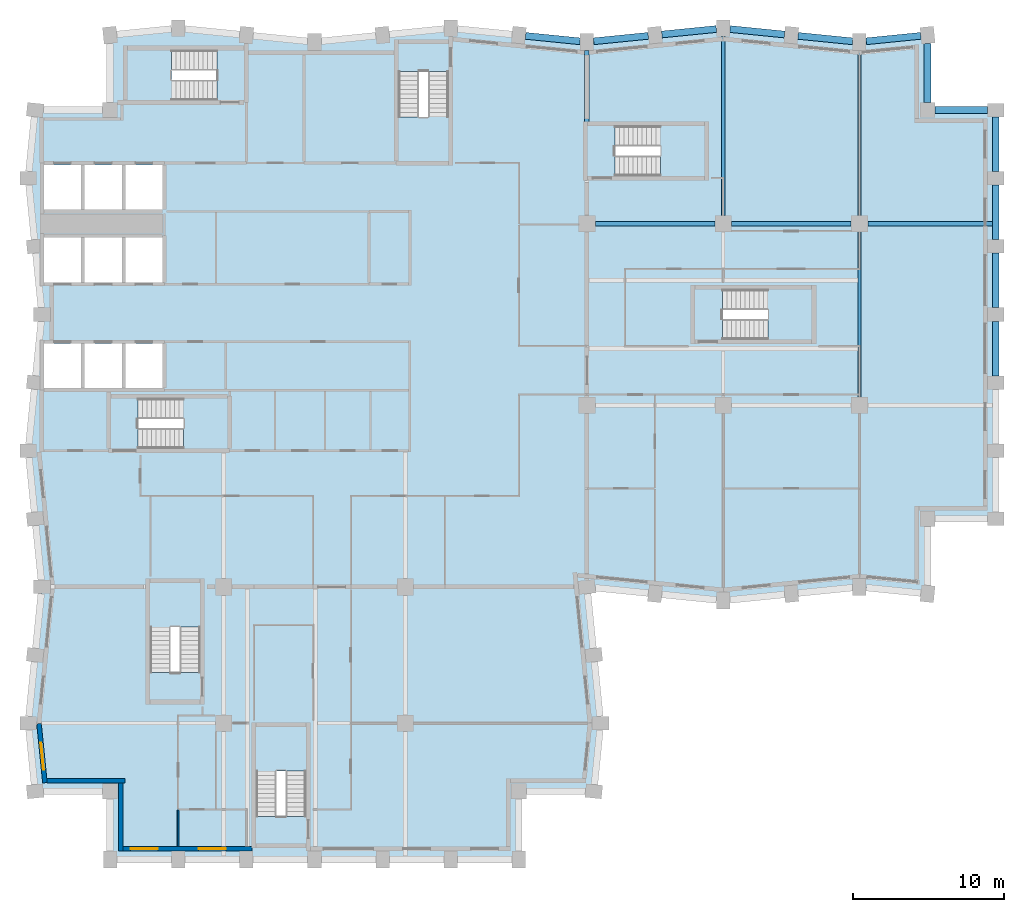
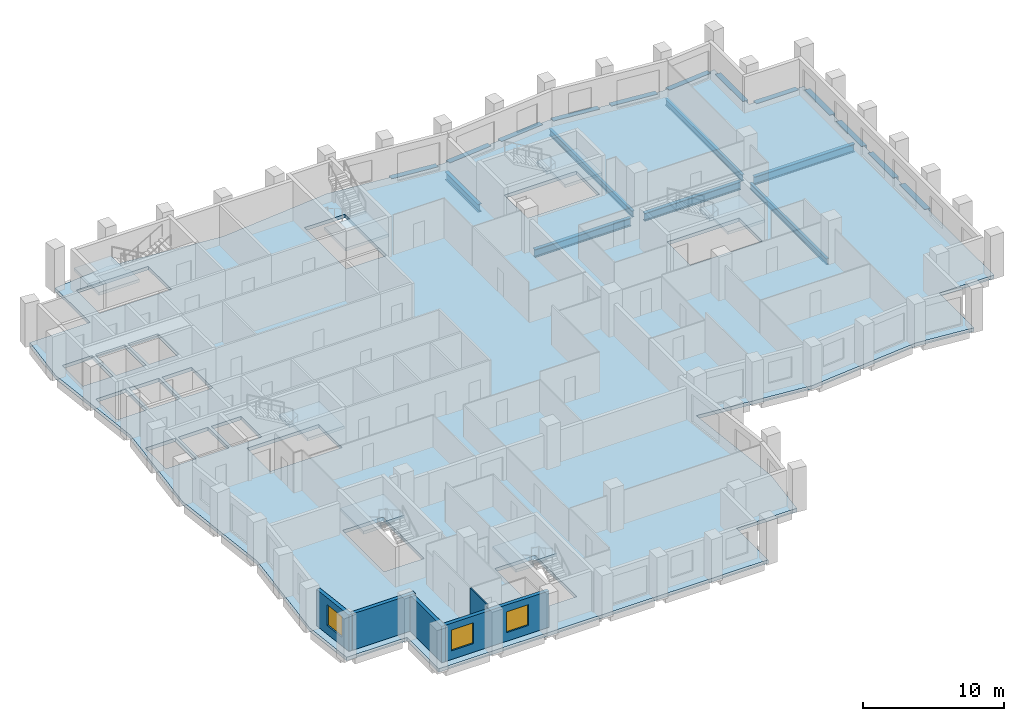
# One storey, part 2 of 10: 19 beams, 8 slabs, 5 walls, 3 windows, 3 openings, 7 elements without a shape of their own.
"""IFC4 building model written with IfcOpenShell, lengths in metres."""

from ifc_helpers import new_model, si_unit, direction, frame, frame_2d, origin, origin_2d, place, context, subcontext, project, spatial, polyline, rectangle, i_section, outline, extrude, material, layer, layer_set, material_profile, profile_set, type_object, element, fill, aggregate, save


model = new_model("IFC4")

# Units and contexts
model_context = context("Model", 3, precision=1e-05, world=origin(), true_north=direction((0.0, 1.0)))
body_context = subcontext(model_context, "Body", "Model", "MODEL_VIEW")
ifc_project = project(units=[si_unit("LENGTHUNIT", "METRE"), si_unit("AREAUNIT", "SQUARE_METRE"), si_unit("VOLUMEUNIT", "CUBIC_METRE"), si_unit("PLANEANGLEUNIT", "RADIAN"), si_unit("MASSUNIT", "GRAM", prefix="KILO")], contexts=[model_context])

# Site, building, storey
site_placement = place(None, origin())
site = spatial("IfcSite", under=ifc_project, at=site_placement, CompositionType="ELEMENT")
building_placement = place(site_placement, origin())
building = spatial("IfcBuilding", under=site, at=building_placement, Name="Brondeck Convention Tower", CompositionType="ELEMENT")
storey_placement = place(building_placement, frame((0.0, 0.0, 170.0)))
storey = spatial("IfcBuildingStorey", under=building, at=storey_placement, Name="L41", CompositionType="ELEMENT", Elevation=170.0)

# Beams
ifc_material_1 = material(Name="Steel S355", Category="steel")
ifc_material_profile_1 = material_profile(ifc_material_1, i_section(OverallWidth=0.2099609375, OverallDepth=0.550048828125, WebThickness=0.010986328125, FlangeThickness=0.01708984375, FilletRadius=0.02392578125, at=origin_2d()), Name="IPE 550")
ifc_profile_set_1 = profile_set([ifc_material_profile_1], Name="Steel S355")
beam_type_1 = type_object("IfcBeamType", Name="Floor beam IPE 550", PredefinedType="BEAM", material=ifc_profile_set_1)
beam_1_placement = place(storey_placement, frame((45.0, 51.550048828125, -0.574951171875), z_axis=(0.0, 1.0, 0.0), x_axis=(-1.0, 0.0, 0.0)))
element("IfcBeam", 1, at=beam_1_placement, inside=storey, type_object=beam_type_1, Name="STR-FB-L41-002", PredefinedType="BEAM", context=body_context, shape_type="SweptSolid", body=[
    extrude(i_section(OverallWidth=0.2099609375, OverallDepth=0.550048828125, WebThickness=0.010986328125, FlangeThickness=0.01708984375, FilletRadius=0.02392578125, at=origin_2d()), origin(), (0.0, 0.0, 1.0), 11.800048828125),
])
for number, where, z_axis, x_axis, name in (
    (2, (54.0, 39.550048828125, -0.574951171875), (0.0, 1.0, 0.0), (-1.0, 0.0, 0.0), "STR-FB-L41-004"),
    (3, (54.0, 51.550048828125, -0.574951171875), (0.0, 1.0, 0.0), (-1.0, 0.0, 0.0), "STR-FB-L41-005"),
):
    element("IfcBeam", number, at=place(storey_placement, frame(where, z_axis=z_axis, x_axis=x_axis)), inside=storey, type_object=beam_type_1, Name=name, PredefinedType="BEAM", context=body_context, shape_type="SweptSolid", body=[
        extrude(i_section(OverallWidth=0.2099609375, OverallDepth=0.550048828125, WebThickness=0.010986328125, FlangeThickness=0.01708984375, FilletRadius=0.02392578125, at=origin_2d()), origin(), (0.0, 0.0, 1.0), 10.89990234375),
    ])
ifc_material_profile_2 = material_profile(ifc_material_1, i_section(OverallWidth=0.300048828125, OverallDepth=0.699951171875, WebThickness=0.01708984375, FlangeThickness=0.031982421875, FilletRadius=0.027099609375, at=origin_2d()), Name="HEB 700")
ifc_profile_set_2 = profile_set([ifc_material_profile_2], Name="Steel S355")
beam_type_2 = type_object("IfcBeamType", Name="Girder HEB 700", PredefinedType="BEAM", material=ifc_profile_set_2)
for number, where, z_axis, x_axis, name in (
    (4, (36.550048828125, 51.0, -0.64990234375), (1.0, 0.0, 0.0), (0.0, 1.0, 0.0), "STR-GR-L41-004"),
    (5, (45.550048828125, 51.0, -0.64990234375), (1.0, 0.0, 0.0), (0.0, 1.0, 0.0), "STR-GR-L41-005"),
):
    element("IfcBeam", number, at=place(storey_placement, frame(where, z_axis=z_axis, x_axis=x_axis)), inside=storey, type_object=beam_type_2, Name=name, PredefinedType="BEAM", context=body_context, shape_type="SweptSolid", body=[
        extrude(i_section(OverallWidth=0.300048828125, OverallDepth=0.699951171875, WebThickness=0.01708984375, FlangeThickness=0.031982421875, FilletRadius=0.027099609375, at=origin_2d()), origin(), (0.0, 0.0, 1.0), 7.89990234375),
    ])
beam_2_placement = place(storey_placement, frame((54.550048828125, 51.0, -0.64990234375), z_axis=(1.0, 0.0, 0.0), x_axis=(0.0, 1.0, 0.0)))
element("IfcBeam", 6, at=beam_2_placement, inside=storey, type_object=beam_type_2, Name="STR-GR-L41-006", PredefinedType="BEAM", context=body_context, shape_type="SweptSolid", body=[
    extrude(i_section(OverallWidth=0.300048828125, OverallDepth=0.699951171875, WebThickness=0.01708984375, FlangeThickness=0.031982421875, FilletRadius=0.027099609375, at=origin_2d()), origin(), (0.0, 0.0, 1.0), 8.224853515625),
])
beam_3_placement = place(storey_placement, frame((36.0, 57.719970703125, -0.64990234375), z_axis=(0.0, 1.0, 0.0), x_axis=(-1.0, 0.0, 0.0)))
element("IfcBeam", 7, at=beam_3_placement, inside=storey, type_object=beam_type_2, Name="STR-GR-L41-010", PredefinedType="BEAM", context=body_context, shape_type="SweptSolid", body=[
    extrude(i_section(OverallWidth=0.300048828125, OverallDepth=0.699951171875, WebThickness=0.01708984375, FlangeThickness=0.031982421875, FilletRadius=0.027099609375, at=origin_2d()), origin(), (0.0, 0.0, 1.0), 4.72998046875),
])
ifc_material_2 = material(Name="Concrete C70/85", Category="concrete")
ifc_material_profile_3 = material_profile(ifc_material_2, rectangle(XDim=0.449951171875, YDim=0.64990234375, at=origin_2d()), Name="Precast spandrel 450x650 Concrete C70/85")
ifc_profile_set_3 = profile_set([ifc_material_profile_3], Name="Concrete C70/85")
beam_type_3 = type_object("IfcBeamType", Name="Precast spandrel 450x650 Concrete C70/85", PredefinedType="SPANDREL", material=ifc_profile_set_3)
for number, where, z_axis, x_axis, name in (
    (8, (63.0, 40.949951171875, -0.324951171875), (0.0, 1.0, 0.0), (-1.0, 0.0, 0.0), "STR-SP-L41-021"),
    (9, (63.0, 45.449951171875, -0.324951171875), (0.0, 1.0, 0.0), (-1.0, 0.0, 0.0), "STR-SP-L41-022"),
    (10, (63.0, 49.949951171875, -0.324951171875), (0.0, 1.0, 0.0), (-1.0, 0.0, 0.0), "STR-SP-L41-023"),
    (11, (63.0, 54.449951171875, -0.324951171875), (0.0, 1.0, 0.0), (-1.0, 0.0, 0.0), "STR-SP-L41-024"),
):
    element("IfcBeam", number, at=place(storey_placement, frame(where, z_axis=z_axis, x_axis=x_axis)), inside=storey, type_object=beam_type_3, Name=name, PredefinedType="SPANDREL", context=body_context, shape_type="SweptSolid", body=[
        extrude(rectangle(XDim=0.449951171875, YDim=0.64990234375, at=origin_2d()), origin(), (0.0, 0.0, 1.0), 3.60009765625),
    ])
beam_4_placement = place(storey_placement, frame((62.449951171875, 58.5, -0.324951171875), z_axis=(-1.0, 0.0, 0.0), x_axis=(0.0, -1.0, 0.0)))
element("IfcBeam", 12, at=beam_4_placement, inside=storey, type_object=beam_type_3, Name="STR-SP-L41-025", PredefinedType="SPANDREL", context=body_context, shape_type="SweptSolid", body=[
    extrude(rectangle(XDim=0.449951171875, YDim=0.64990234375, at=origin_2d()), origin(), (0.0, 0.0, 1.0), 3.449951171875),
])
beam_5_placement = place(storey_placement, frame((58.5, 59.0, -0.324951171875), z_axis=(0.0, 1.0, 0.0), x_axis=(-1.0, 0.0, 0.0)))
element("IfcBeam", 13, at=beam_5_placement, inside=storey, type_object=beam_type_3, Name="STR-SP-L41-026", PredefinedType="SPANDREL", context=body_context, shape_type="SweptSolid", body=[
    extrude(rectangle(XDim=0.449951171875, YDim=0.64990234375, at=origin_2d()), origin(), (0.0, 0.0, 1.0), 3.897216796875),
])
for number, where, z_axis, x_axis, name in (
    (14, (58.05224609375, 63.4052734375, -0.324951171875), (-0.995033851182, -0.099537103649, 0.0), (0.099537103649, -0.995033851182, 0.0), "STR-SP-L41-027"),
    (15, (53.550048828125, 63.044921875, -0.324951171875), (-0.995033851182, 0.099537103649, 0.0), (-0.099537103649, -0.995033851182, 0.0), "STR-SP-L41-028"),
    (16, (49.05224609375, 63.494873046875, -0.324951171875), (-0.995040528141, 0.099470334057, 0.0), (-0.099470334057, -0.995040528141, 0.0), "STR-SP-L41-029"),
    (17, (44.550048828125, 63.85498046875, -0.324951171875), (-0.995040528141, -0.099470334057, 0.0), (0.099470334057, -0.995040528141, 0.0), "STR-SP-L41-030"),
    (18, (40.05224609375, 63.4052734375, -0.324951171875), (-0.995033851182, -0.099537103649, 0.0), (0.099537103649, -0.995033851182, 0.0), "STR-SP-L41-031"),
    (19, (35.550048828125, 63.044921875, -0.324951171875), (-0.995033851182, 0.099537103649, 0.0), (-0.099537103649, -0.995033851182, 0.0), "STR-SP-L41-032"),
):
    element("IfcBeam", number, at=place(storey_placement, frame(where, z_axis=z_axis, x_axis=x_axis)), inside=storey, type_object=beam_type_3, Name=name, PredefinedType="SPANDREL", context=body_context, shape_type="SweptSolid", body=[
        extrude(rectangle(XDim=0.449951171875, YDim=0.64990234375, at=origin_2d()), origin(), (0.0, 0.0, 1.0), 3.620361328125),
    ])

# Slab
ifc_material_3 = material(Name="Concrete C35/45", Category="concrete")
ifc_layer_1 = layer(ifc_material_3, 0.300048828125)
ifc_layer_set_1 = layer_set([ifc_layer_1], Name="Composite floor slab 300")
slab_type_1 = type_object("IfcSlabType", Name="Composite floor slab 300", PredefinedType="FLOOR", material=ifc_layer_set_1)
slab_1_placement = place(storey_placement, frame((0.0, 0.0, -0.300048828125)))
element("IfcSlab", 20, at=slab_1_placement, inside=storey, type_object=slab_type_1, Name="STR-SL-L41", PredefinedType="FLOOR", context=body_context, shape_type="SweptSolid", body=[
    extrude(outline(polyline([(4.5, 13.5), (-0.449951171875, 13.5), (-0.89990234375, 18.0), (0.0, 27.0), (-0.89990234375, 36.0), (0.0, 45.0), (-0.89990234375, 54.0), (-0.449951171875, 58.5), (4.5, 58.5), (4.5, 63.449951171875), (9.0, 63.89990234375), (18.0, 63.0), (27.0, 63.89990234375), (36.0, 63.0), (45.0, 63.89990234375), (54.0, 63.0), (58.5, 63.449951171875), (58.5, 58.5), (63.0, 58.5), (63.0, 31.5), (58.5, 31.5), (58.5, 26.550048828125), (54.0, 27.0), (45.0, 26.10009765625), (36.0, 27.0), (36.89990234375, 18.0), (36.449951171875, 13.5), (31.5, 13.5), (31.5, 9.0), (4.5, 9.0), (4.5, 13.5)]), holes=[polyline([(2.574951171875, 40.125), (2.574951171875, 43.074951171875), (0.125, 43.074951171875), (0.125, 40.125), (2.574951171875, 40.125)]), polyline([(5.27490234375, 40.125), (5.27490234375, 43.074951171875), (2.824951171875, 43.074951171875), (2.824951171875, 40.125), (5.27490234375, 40.125)]), polyline([(7.97509765625, 40.125), (7.97509765625, 43.074951171875), (5.52490234375, 43.074951171875), (5.52490234375, 40.125), (7.97509765625, 40.125)]), polyline([(2.574951171875, 47.125), (2.574951171875, 50.074951171875), (0.125, 50.074951171875), (0.125, 47.125), (2.574951171875, 47.125)]), polyline([(5.27490234375, 47.125), (5.27490234375, 50.074951171875), (2.824951171875, 50.074951171875), (2.824951171875, 47.125), (5.27490234375, 47.125)]), polyline([(7.97509765625, 47.125), (7.97509765625, 50.074951171875), (5.52490234375, 50.074951171875), (5.52490234375, 47.125), (7.97509765625, 47.125)]), polyline([(2.574951171875, 51.925048828125), (2.574951171875, 54.875), (0.125, 54.875), (0.125, 51.925048828125), (2.574951171875, 51.925048828125)]), polyline([(5.27490234375, 51.925048828125), (5.27490234375, 54.875), (2.824951171875, 54.875), (2.824951171875, 51.925048828125), (5.27490234375, 51.925048828125)]), polyline([(17.447998046875, 17.748046875), (14.152099609375, 17.748046875), (14.152099609375, 11.85205078125), (17.447998046875, 11.85205078125), (17.447998046875, 17.748046875)]), polyline([(10.447998046875, 27.248046875), (7.152099609375, 27.248046875), (7.152099609375, 21.35205078125), (10.447998046875, 21.35205078125), (10.447998046875, 27.248046875)]), polyline([(12.248046875, 36.152099609375), (12.248046875, 39.447998046875), (6.35205078125, 39.447998046875), (6.35205078125, 36.152099609375), (12.248046875, 36.152099609375)]), polyline([(50.847900390625, 43.35205078125), (50.847900390625, 46.64794921875), (44.951904296875, 46.64794921875), (44.951904296875, 43.35205078125), (50.847900390625, 43.35205078125)]), polyline([(7.97509765625, 51.925048828125), (7.97509765625, 54.875), (5.52490234375, 54.875), (5.52490234375, 51.925048828125), (7.97509765625, 51.925048828125)]), polyline([(43.748046875, 54.152099609375), (43.748046875, 57.447998046875), (37.85205078125, 57.447998046875), (37.85205078125, 54.152099609375), (43.748046875, 54.152099609375)]), polyline([(23.552001953125, 55.152099609375), (26.847900390625, 55.152099609375), (26.847900390625, 61.048095703125), (23.552001953125, 61.048095703125), (23.552001953125, 55.152099609375)]), polyline([(5.652099609375, 62.447998046875), (5.652099609375, 59.152099609375), (11.548095703125, 59.152099609375), (11.548095703125, 62.447998046875), (5.652099609375, 62.447998046875)])]), origin(), (0.0, 0.0, 1.0), 0.300048828125),
])

# Stair, slab
ifc_material_4 = material(Name="Precast concrete C50/60", Category="concrete")
stair_type = type_object("IfcStairType", Name="Core stair 22 risers 172.73 mm riser 300 mm going 1350 wide", PredefinedType="HALF_TURN_STAIR", material=ifc_material_4)
stair_1_placement = place(storey_placement, origin())
stair_1 = element("IfcStair", 21, at=stair_1_placement, inside=storey, type_object=stair_type, Name="ST-1 L41 stair", PredefinedType="HALF_TURN_STAIR")
ifc_layer_2 = layer(ifc_material_4, 0.25)
ifc_layer_set_2 = layer_set([ifc_layer_2], Name="Core stair landing 250 Precast concrete C50/60")
slab_type_2 = type_object("IfcSlabType", Name="Core stair landing 250 Precast concrete C50/60", PredefinedType="LANDING", material=ifc_layer_set_2)
slab_2_placement = place(storey_placement, frame((0.0, 0.0, 1.64990234375)))
slab_2 = element("IfcSlab", 22, at=slab_2_placement, type_object=slab_type_2, Name="ST-1 landing 1", PredefinedType="LANDING", context=body_context, shape_type="SweptSolid", body=[
    extrude(outline(polyline([(9.347900390625, 37.5), (9.35009765625, 37.5), (9.35009765625, 38.10009765625), (9.050048828125, 38.10009765625), (9.050048828125, 39.570068359375), (12.3701171875, 39.570068359375), (12.3701171875, 36.030029296875), (9.347900390625, 36.030029296875), (9.347900390625, 37.5)])), origin(), (0.0, 0.0, 1.0), 0.25),
])
aggregate(stair_1, [slab_2])

stair_2_placement = place(storey_placement, origin())
stair_2 = element("IfcStair", 23, at=stair_2_placement, inside=storey, type_object=stair_type, Name="ST-2 L41 stair", PredefinedType="HALF_TURN_STAIR")
slab_3_placement = place(storey_placement, frame((0.0, 0.0, 1.64990234375)))
slab_3 = element("IfcSlab", 24, at=slab_3_placement, type_object=slab_type_2, Name="ST-2 landing 1", PredefinedType="LANDING", context=body_context, shape_type="SweptSolid", body=[
    extrude(outline(polyline([(23.429931640625, 58.052001953125), (24.89990234375, 58.052001953125), (24.89990234375, 58.050048828125), (25.5, 58.050048828125), (25.5, 58.35009765625), (26.969970703125, 58.35009765625), (26.969970703125, 55.030029296875), (23.429931640625, 55.030029296875), (23.429931640625, 58.052001953125)])), origin(), (0.0, 0.0, 1.0), 0.25),
])
aggregate(stair_2, [slab_3])

stair_3_placement = place(storey_placement, origin())
stair_3 = element("IfcStair", 25, at=stair_3_placement, inside=storey, type_object=stair_type, Name="ST-3 L41 stair", PredefinedType="HALF_TURN_STAIR")
slab_4_placement = place(storey_placement, frame((0.0, 0.0, 1.64990234375)))
slab_4 = element("IfcSlab", 26, at=slab_4_placement, type_object=slab_type_2, Name="ST-3 landing 1", PredefinedType="LANDING", context=body_context, shape_type="SweptSolid", body=[
    extrude(outline(polyline([(8.85009765625, 60.5), (8.85009765625, 59.030029296875), (5.530029296875, 59.030029296875), (5.530029296875, 62.570068359375), (8.552001953125, 62.570068359375), (8.552001953125, 61.10009765625), (8.550048828125, 61.10009765625), (8.550048828125, 60.5), (8.85009765625, 60.5)])), origin(), (0.0, 0.0, 1.0), 0.25),
])
aggregate(stair_3, [slab_4])

stair_4_placement = place(storey_placement, origin())
stair_4 = element("IfcStair", 27, at=stair_4_placement, inside=storey, type_object=stair_type, Name="ST-AE L41 stair", PredefinedType="HALF_TURN_STAIR")
slab_5_placement = place(storey_placement, frame((0.0, 0.0, 1.64990234375)))
slab_5 = element("IfcSlab", 28, at=slab_5_placement, type_object=slab_type_2, Name="ST-AE landing 1", PredefinedType="LANDING", context=body_context, shape_type="SweptSolid", body=[
    extrude(outline(polyline([(40.847900390625, 55.5), (40.85009765625, 55.5), (40.85009765625, 56.10009765625), (40.550048828125, 56.10009765625), (40.550048828125, 57.570068359375), (43.8701171875, 57.570068359375), (43.8701171875, 54.030029296875), (40.847900390625, 54.030029296875), (40.847900390625, 55.5)])), origin(), (0.0, 0.0, 1.0), 0.25),
])
aggregate(stair_4, [slab_5])

stair_5_placement = place(storey_placement, origin())
stair_5 = element("IfcStair", 29, at=stair_5_placement, inside=storey, type_object=stair_type, Name="ST-BE L41 stair", PredefinedType="HALF_TURN_STAIR")
slab_6_placement = place(storey_placement, frame((0.0, 0.0, 1.64990234375)))
slab_6 = element("IfcSlab", 30, at=slab_6_placement, type_object=slab_type_2, Name="ST-BE landing 1", PredefinedType="LANDING", context=body_context, shape_type="SweptSolid", body=[
    extrude(outline(polyline([(7.030029296875, 24.050048828125), (7.030029296875, 27.3701171875), (10.570068359375, 27.3701171875), (10.570068359375, 24.347900390625), (9.10009765625, 24.347900390625), (9.10009765625, 24.35009765625), (8.5, 24.35009765625), (8.5, 24.050048828125), (7.030029296875, 24.050048828125)])), origin(), (0.0, 0.0, 1.0), 0.25),
])
aggregate(stair_5, [slab_6])

stair_6_placement = place(storey_placement, origin())
stair_6 = element("IfcStair", 31, at=stair_6_placement, inside=storey, type_object=stair_type, Name="ST-AF L41 stair", PredefinedType="HALF_TURN_STAIR")
slab_7_placement = place(storey_placement, frame((0.0, 0.0, 1.64990234375)))
slab_7 = element("IfcSlab", 32, at=slab_7_placement, type_object=slab_type_2, Name="ST-AF landing 1", PredefinedType="LANDING", context=body_context, shape_type="SweptSolid", body=[
    extrude(outline(polyline([(47.947998046875, 44.699951171875), (47.949951171875, 44.699951171875), (47.949951171875, 45.300048828125), (47.64990234375, 45.300048828125), (47.64990234375, 46.77001953125), (50.969970703125, 46.77001953125), (50.969970703125, 43.22998046875), (47.947998046875, 43.22998046875), (47.947998046875, 44.699951171875)])), origin(), (0.0, 0.0, 1.0), 0.25),
])
aggregate(stair_6, [slab_7])

stair_7_placement = place(storey_placement, origin())
stair_7 = element("IfcStair", 33, at=stair_7_placement, inside=storey, type_object=stair_type, Name="ST-BF L41 stair", PredefinedType="HALF_TURN_STAIR")
slab_8_placement = place(storey_placement, frame((0.0, 0.0, 1.64990234375)))
slab_8 = element("IfcSlab", 34, at=slab_8_placement, type_object=slab_type_2, Name="ST-BF landing 1", PredefinedType="LANDING", context=body_context, shape_type="SweptSolid", body=[
    extrude(outline(polyline([(14.030029296875, 14.550048828125), (14.030029296875, 17.8701171875), (17.570068359375, 17.8701171875), (17.570068359375, 14.847900390625), (16.10009765625, 14.847900390625), (16.10009765625, 14.85009765625), (15.5, 14.85009765625), (15.5, 14.550048828125), (14.030029296875, 14.550048828125)])), origin(), (0.0, 0.0, 1.0), 0.25),
])
aggregate(stair_7, [slab_8])

# Wall, openings, windows
ifc_material_5 = material(Name="Precast concrete C50/60 bronze finish", Category="concrete")
ifc_layer_3 = layer(ifc_material_5, 0.070068359375, Name="Bronze precast facing")
ifc_material_6 = material(Name="Mineral wool")
ifc_layer_4 = layer(ifc_material_6, 0.159912109375, Name="Insulation")
ifc_layer_5 = layer(ifc_material_3, 0.070068359375, Name="Backing")
ifc_layer_set_3 = layer_set([ifc_layer_3, ifc_layer_4, ifc_layer_5], Name="External infill wall, precast concrete C50/60 bronze facing")
wall_type_1 = type_object("IfcWallType", Name="External infill wall, precast concrete C50/60 bronze facing", PredefinedType="SOLIDWALL", material=ifc_layer_set_3)
wall_1_placement = place(storey_placement, frame((13.860107421875, 9.699951171875, 0.0), z_axis=(0.0, 0.0, 1.0), x_axis=(-1.0, 0.0, 0.0)))
wall_1 = element("IfcWall", 35, at=wall_1_placement, inside=storey, type_object=wall_type_1, Name="ENV-EW-L41-P1-B-S9-01", PredefinedType="SOLIDWALL", context=body_context, shape_type="SweptSolid", body=[
    extrude(rectangle(XDim=8.510009765625, YDim=0.300048828125, at=frame_2d((4.2548828125, 0.0))), origin(), (0.0, 0.0, 1.0), 3.14990234375),
])
opening_1_placement = place(wall_1_placement, frame((1.7099609375, 0.0, 0.75)))
opening_1 = element("IfcOpeningElement", 36, at=opening_1_placement, cuts=wall_1, Name="Opening W10", PredefinedType="OPENING", context=body_context, shape_type="SweptSolid", body=[
    extrude(rectangle(XDim=1.800048828125, YDim=1.800048828125, at=frame_2d((0.89990234375, 0.89990234375))), frame((0.0, 0.159912109375, 0.0), z_axis=(0.0, -1.0, 0.0), x_axis=(1.0, 0.0, 0.0)), (0.0, 0.0, 1.0), 0.320068359375),
])
opening_2_placement = place(wall_1_placement, frame((6.2099609375, 0.0, 0.75)))
opening_2 = element("IfcOpeningElement", 37, at=opening_2_placement, cuts=wall_1, Name="Opening W10", PredefinedType="OPENING", context=body_context, shape_type="SweptSolid", body=[
    extrude(rectangle(XDim=1.800048828125, YDim=1.800048828125, at=frame_2d((0.89990234375, 0.89990234375))), frame((0.0, 0.159912109375, 0.0), z_axis=(0.0, -1.0, 0.0), x_axis=(1.0, 0.0, 0.0)), (0.0, 0.0, 1.0), 0.320068359375),
])
ifc_material_7 = material(Name="Bronze tinted double glazing", Category="glass")
window_type = type_object("IfcWindowType", Name="Punched window, bronze tinted", PartitioningType="SINGLE_PANEL", PredefinedType="WINDOW", material=ifc_material_7)
window_1_placement = place(opening_1_placement, origin())
window_1 = element("IfcWindow", 38, at=window_1_placement, inside=storey, type_object=window_type, Name="ENV-WN-L41-P1-B-S9-02", OverallHeight=1.800048828125, OverallWidth=1.800048828125, PartitioningType="SINGLE_PANEL", PredefinedType="WINDOW", context=body_context, shape_type="SweptSolid", body=[
    extrude(rectangle(XDim=1.800048828125, YDim=1.800048828125, at=frame_2d((0.89990234375, 0.89990234375))), frame((0.0, 0.030029296875, 0.0), z_axis=(0.0, -1.0, 0.0), x_axis=(1.0, 0.0, 0.0)), (0.0, 0.0, 1.0), 0.06005859375),
])
fill(opening_1, window_1)
window_2_placement = place(opening_2_placement, origin())
window_2 = element("IfcWindow", 39, at=window_2_placement, inside=storey, type_object=window_type, Name="ENV-WN-L41-P1-B-S9-01", OverallHeight=1.800048828125, OverallWidth=1.800048828125, PartitioningType="SINGLE_PANEL", PredefinedType="WINDOW", context=body_context, shape_type="SweptSolid", body=[
    extrude(rectangle(XDim=1.800048828125, YDim=1.800048828125, at=frame_2d((0.89990234375, 0.89990234375))), frame((0.0, 0.030029296875, 0.0), z_axis=(0.0, -1.0, 0.0), x_axis=(1.0, 0.0, 0.0)), (0.0, 0.0, 1.0), 0.06005859375),
])
fill(opening_2, window_2)

# Wall, opening, window
wall_2_placement = place(storey_placement, frame((0.197021484375, 14.06494140625, 0.0), z_axis=(0.0, 0.0, 1.0), x_axis=(-0.099528354722, 0.995034726332, 0.0)))
wall_2 = element("IfcWall", 40, at=wall_2_placement, inside=storey, type_object=wall_type_1, Name="ENV-EW-L41-P1-B-W-10", PredefinedType="SOLIDWALL", context=body_context, shape_type="SweptSolid", body=[
    extrude(rectangle(XDim=3.9248046875, YDim=0.300048828125, at=frame_2d((1.96240234375, 0.0))), origin(), (0.0, 0.0, 1.0), 3.14990234375),
])
opening_3_placement = place(wall_2_placement, frame((0.863525390625, 0.0, 0.75)))
opening_3 = element("IfcOpeningElement", 41, at=opening_3_placement, cuts=wall_2, Name="Opening W10", PredefinedType="OPENING", context=body_context, shape_type="SweptSolid", body=[
    extrude(rectangle(XDim=1.800048828125, YDim=1.800048828125, at=frame_2d((0.89990234375, 0.89990234375))), frame((0.0, 0.159912109375, 0.0), z_axis=(0.0, -1.0, 0.0), x_axis=(1.0, 0.0, 0.0)), (0.0, 0.0, 1.0), 0.320068359375),
])
window_3_placement = place(opening_3_placement, origin())
window_3 = element("IfcWindow", 42, at=window_3_placement, inside=storey, type_object=window_type, Name="ENV-WN-L41-P1-B-W-10", OverallHeight=1.800048828125, OverallWidth=1.800048828125, PartitioningType="SINGLE_PANEL", PredefinedType="WINDOW", context=body_context, shape_type="SweptSolid", body=[
    extrude(rectangle(XDim=1.800048828125, YDim=1.800048828125, at=frame_2d((0.89990234375, 0.89990234375))), frame((0.0, 0.030029296875, 0.0), z_axis=(0.0, -1.0, 0.0), x_axis=(1.0, 0.0, 0.0)), (0.0, 0.0, 1.0), 0.06005859375),
])
fill(opening_3, window_3)

# Walls
wall_3_placement = place(storey_placement, frame((5.5, 14.199951171875, 0.0), z_axis=(0.0, 0.0, 1.0), x_axis=(-1.0, 0.0, 0.0)))
element("IfcWall", 43, at=wall_3_placement, inside=storey, type_object=wall_type_1, Name="ENV-EW-L41-P1-NC-SWB9-01", PredefinedType="SOLIDWALL", context=body_context, shape_type="SweptSolid", body=[
    extrude(rectangle(XDim=5.16455078125, YDim=0.300048828125, at=frame_2d((2.582275390625, 0.0))), origin(), (0.0, 0.0, 1.0), 3.14990234375),
])
wall_4_placement = place(storey_placement, frame((5.199951171875, 9.550048828125, 0.0), z_axis=(0.0, 0.0, 1.0), x_axis=(0.0, 1.0, 0.0)))
element("IfcWall", 44, at=wall_4_placement, inside=storey, type_object=wall_type_1, Name="ENV-EW-L41-P1-NC-SWB9-02", PredefinedType="SOLIDWALL", context=body_context, shape_type="SweptSolid", body=[
    extrude(rectangle(XDim=4.501953125, YDim=0.300048828125, at=frame_2d((2.2509765625, 0.0))), origin(), (0.0, 0.0, 1.0), 3.14990234375),
])
ifc_material_8 = material(Name="Gypsum board partition on steel studs", Category="steel")
ifc_layer_6 = layer(ifc_material_8, 0.10009765625)
ifc_layer_set_4 = layer_set([ifc_layer_6], Name="Room partition 100")
wall_type_2 = type_object("IfcWallType", Name="Room partition 100", PredefinedType="PARTITIONING", material=ifc_layer_set_4)
wall_5_placement = place(storey_placement, frame((9.0, 9.8701171875, 0.0), z_axis=(0.0, 0.0, 1.0), x_axis=(0.0, 1.0, 0.0)))
element("IfcWall", 45, at=wall_5_placement, inside=storey, type_object=wall_type_2, Name="FLR-L41-W001", PredefinedType="PARTITIONING", context=body_context, shape_type="SweptSolid", body=[
    extrude(rectangle(XDim=2.3798828125, YDim=0.10009765625, at=frame_2d((1.18994140625, 0.0))), origin(), (0.0, 0.0, 1.0), 3.47998046875),
])

save(model, "model.ifc")
